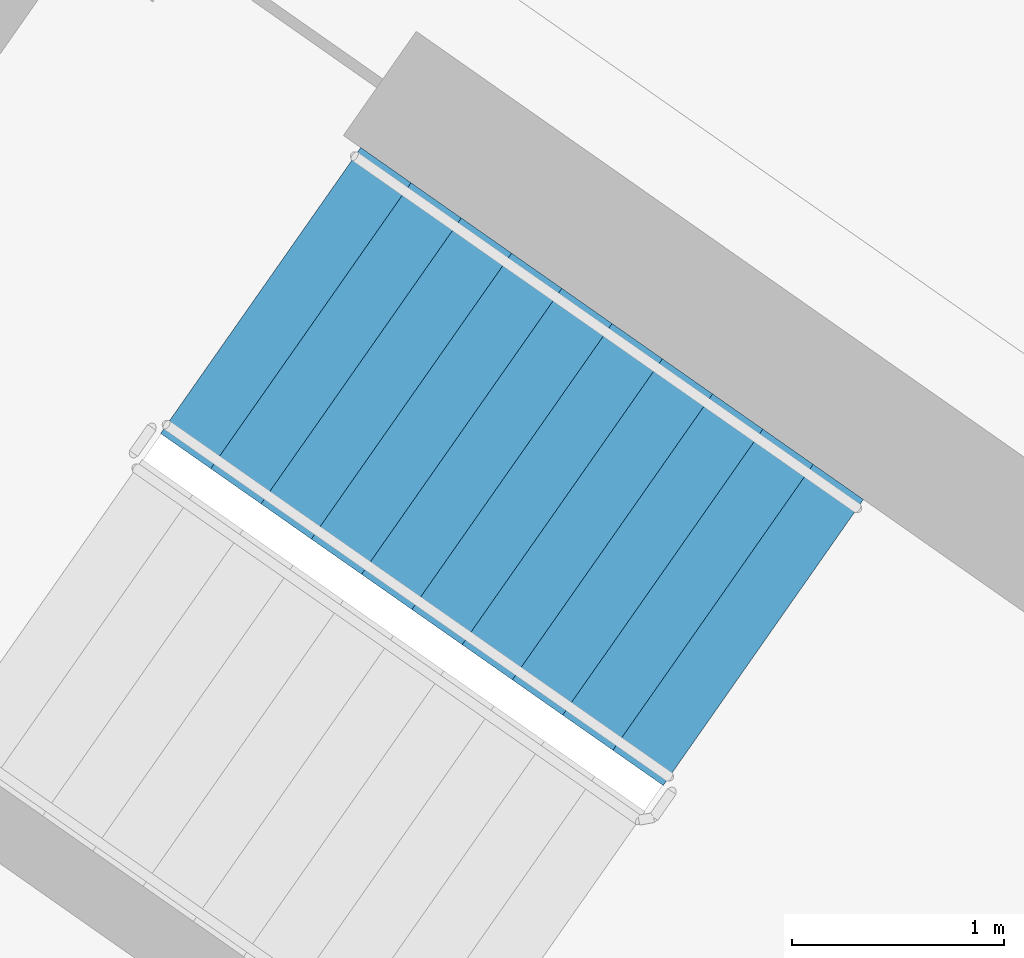
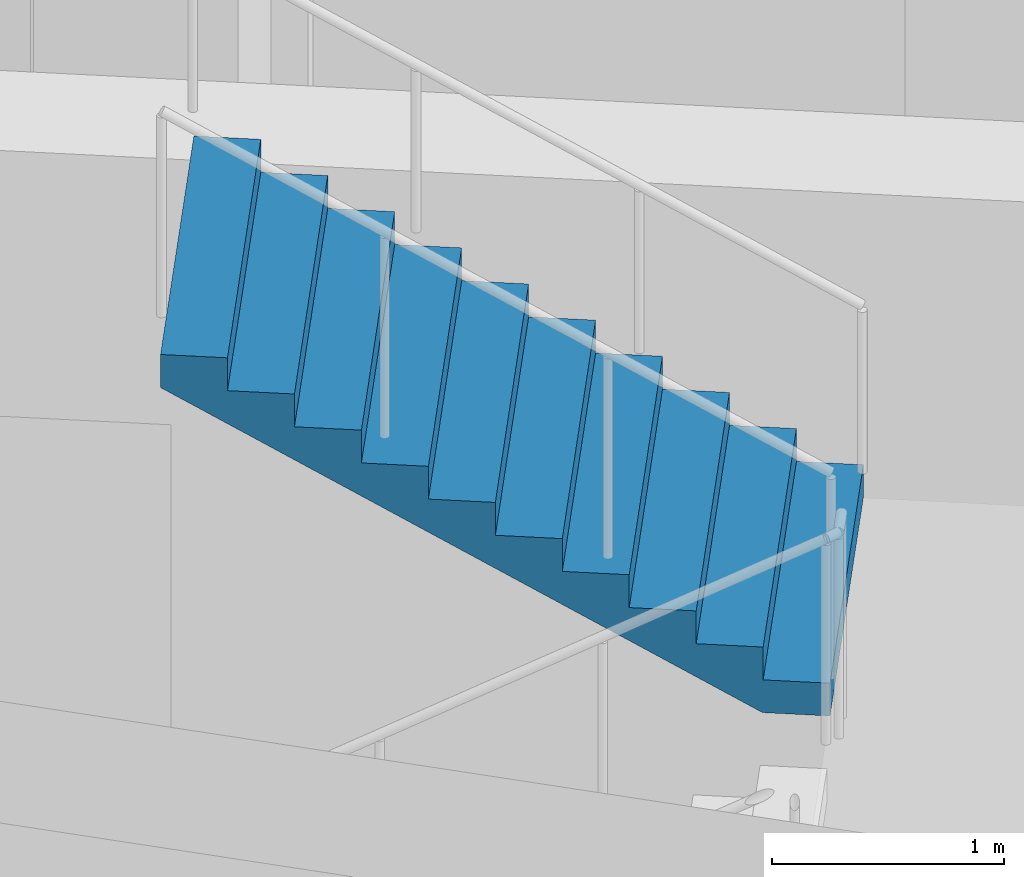
# One storey, part 12 of 28: 1 stair flight, 1 element without a shape of its own.
"""IFC4 building model written with IfcOpenShell, lengths in metres."""

from ifc_helpers import new_model, si_unit, direction, frame, origin, place, context, subcontext, project, spatial, faceted_brep, material, type_object, element, aggregate, save


model = new_model("IFC4")

# Units and contexts
model_context = context("Model", 3, precision=1e-05, world=origin(), true_north=direction((0.0, 1.0)))
body_context = subcontext(model_context, "Body", "Model", "MODEL_VIEW")
ifc_project = project(units=[si_unit("LENGTHUNIT", "METRE"), si_unit("AREAUNIT", "SQUARE_METRE"), si_unit("VOLUMEUNIT", "CUBIC_METRE"), si_unit("PLANEANGLEUNIT", "RADIAN"), si_unit("MASSUNIT", "GRAM", prefix="KILO")], contexts=[model_context])

# Site, building, storey
site_placement = place(None, origin())
site = spatial("IfcSite", under=ifc_project, at=site_placement, CompositionType="ELEMENT")
building_placement = place(site_placement, origin())
building = spatial("IfcBuilding", under=site, at=building_placement, Name="Qamariyya Broadcast Tower", CompositionType="ELEMENT")
storey_placement = place(building_placement, frame((0.0, 0.0, 265.699951171875)))
storey = spatial("IfcBuildingStorey", under=building, at=storey_placement, Name="L64", CompositionType="ELEMENT", Elevation=265.699951171875)

# Stair, stair flight
ifc_material = material(Name="Concrete C50/60", Category="concrete")
stair_type = type_object("IfcStairType", Name="Exit stair 22 risers of 173 mm", PredefinedType="HALF_TURN_STAIR", material=ifc_material)
stair_placement = place(storey_placement, origin())
stair = element("IfcStair", 1, at=stair_placement, inside=storey, type_object=stair_type, Name="L64 Stair W2", PredefinedType="HALF_TURN_STAIR")
stair_flight_type = type_object("IfcStairFlightType", Name="Exit stair flight 11 risers of 173 mm", PredefinedType="STRAIGHT", material=ifc_material)
stair_flight_placement = place(storey_placement, frame((-38.18310546875, -49.3486328125, 1.900146484375), z_axis=(0.0, 0.0, 1.0), x_axis=(-0.819152044289, 0.573576436351, 0.0)))
stair_flight = element("IfcStairFlight", 2, at=stair_flight_placement, type_object=stair_flight_type, Name="ST-W2 flight 2", NumberOfRisers=11, NumberOfTreads=10, PredefinedType="STRAIGHT", RiserHeight=0.172727273, TreadLength=0.29, context=body_context, shape_type="Brep", body=[
    faceted_brep([(0.0, 0.824951171875, 0.0), (0.0, 0.824951171875, 0.172607421875), (0.2900390625, 0.824951171875, 0.172607421875), (0.2900390625, 0.824951171875, 0.345458984375), (0.580078125, 0.824951171875, 0.345458984375), (0.580078125, 0.824951171875, 0.51806640625), (0.8701171875, 0.824951171875, 0.51806640625), (0.8701171875, 0.824951171875, 0.69091796875), (1.159912109375, 0.824951171875, 0.69091796875), (1.159912109375, 0.824951171875, 0.863525390625), (1.449951171875, 0.824951171875, 0.863525390625), (1.449951171875, 0.824951171875, 1.036376953125), (1.739990234375, 0.824951171875, 1.036376953125), (1.739990234375, 0.824951171875, 1.208984375), (2.030029296875, 0.824951171875, 1.208984375), (2.030029296875, 0.824951171875, 1.3818359375), (2.320068359375, 0.824951171875, 1.3818359375), (2.320068359375, 0.824951171875, 1.554443359375), (2.610107421875, 0.824951171875, 1.554443359375), (2.610107421875, 0.824951171875, 1.727294921875), (2.89990234375, 0.824951171875, 1.727294921875), (2.89990234375, 0.824951171875, 1.552734375), (0.29296875, 0.824951171875, 0.0), (0.29296875, -0.824951171875, 0.0), (2.89990234375, -0.824951171875, 1.552734375), (2.89990234375, -0.824951171875, 1.727294921875), (2.610107421875, -0.824951171875, 1.727294921875), (2.610107421875, -0.824951171875, 1.554443359375), (2.320068359375, -0.824951171875, 1.554443359375), (2.320068359375, -0.824951171875, 1.3818359375), (2.030029296875, -0.824951171875, 1.3818359375), (2.030029296875, -0.824951171875, 1.208984375), (1.739990234375, -0.824951171875, 1.208984375), (1.739990234375, -0.824951171875, 1.036376953125), (1.449951171875, -0.824951171875, 1.036376953125), (1.449951171875, -0.824951171875, 0.863525390625), (1.159912109375, -0.824951171875, 0.863525390625), (1.159912109375, -0.824951171875, 0.69091796875), (0.8701171875, -0.824951171875, 0.69091796875), (0.8701171875, -0.824951171875, 0.51806640625), (0.580078125, -0.824951171875, 0.51806640625), (0.580078125, -0.824951171875, 0.345458984375), (0.2900390625, -0.824951171875, 0.345458984375), (0.2900390625, -0.824951171875, 0.172607421875), (0.0, -0.824951171875, 0.172607421875), (0.0, -0.824951171875, 0.0), (0.0, 0.10009765625, 0.0), (0.0, 0.086669921875, 0.0), (0.0, 0.0732421875, 0.0), (0.0, 0.06005859375, 0.0), (0.0, 0.046630859375, 0.0), (0.0, 0.033447265625, 0.0), (0.0, 0.02001953125, 0.0), (0.0, 0.006591796875, 0.0), (0.0, -0.006591796875, 0.0), (0.0, -0.02001953125, 0.0), (0.0, -0.033447265625, 0.0), (0.0, -0.046630859375, 0.0), (0.0, -0.06005859375, 0.0), (0.0, -0.0732421875, 0.0), (0.0, -0.086669921875, 0.0), (0.0, -0.10009765625, 0.0), (0.0, -0.10009765625, 0.172607421875), (0.0, -0.086669921875, 0.172607421875), (0.0, -0.0732421875, 0.172607421875), (0.0, -0.06005859375, 0.172607421875), (0.0, -0.046630859375, 0.172607421875), (0.0, -0.033447265625, 0.172607421875), (0.0, -0.02001953125, 0.172607421875), (0.0, -0.006591796875, 0.172607421875), (0.0, 0.006591796875, 0.172607421875), (0.0, 0.02001953125, 0.172607421875), (0.0, 0.033447265625, 0.172607421875), (0.0, 0.046630859375, 0.172607421875), (0.0, 0.06005859375, 0.172607421875), (0.0, 0.0732421875, 0.172607421875), (0.0, 0.086669921875, 0.172607421875), (0.0, 0.10009765625, 0.172607421875), (0.2900390625, -0.10009765625, 0.172607421875), (0.2900390625, -0.086669921875, 0.172607421875), (0.2900390625, -0.0732421875, 0.172607421875), (0.2900390625, -0.06005859375, 0.172607421875), (0.2900390625, -0.046630859375, 0.172607421875), (0.2900390625, -0.033447265625, 0.172607421875), (0.2900390625, -0.02001953125, 0.172607421875), (0.2900390625, -0.006591796875, 0.172607421875), (0.2900390625, 0.006591796875, 0.172607421875), (0.2900390625, 0.02001953125, 0.172607421875), (0.2900390625, 0.033447265625, 0.172607421875), (0.2900390625, 0.046630859375, 0.172607421875), (0.2900390625, 0.06005859375, 0.172607421875), (0.2900390625, 0.0732421875, 0.172607421875), (0.2900390625, 0.086669921875, 0.172607421875), (0.2900390625, 0.10009765625, 0.172607421875), (0.2900390625, -0.10009765625, 0.345458984375), (0.2900390625, -0.086669921875, 0.345458984375), (0.2900390625, -0.0732421875, 0.345458984375), (0.2900390625, -0.06005859375, 0.345458984375), (0.2900390625, -0.046630859375, 0.345458984375), (0.2900390625, -0.033447265625, 0.345458984375), (0.2900390625, -0.02001953125, 0.345458984375), (0.2900390625, -0.006591796875, 0.345458984375), (0.2900390625, 0.006591796875, 0.345458984375), (0.2900390625, 0.02001953125, 0.345458984375), (0.2900390625, 0.033447265625, 0.345458984375), (0.2900390625, 0.046630859375, 0.345458984375), (0.2900390625, 0.06005859375, 0.345458984375), (0.2900390625, 0.0732421875, 0.345458984375), (0.2900390625, 0.086669921875, 0.345458984375), (0.2900390625, 0.10009765625, 0.345458984375), (0.580078125, -0.10009765625, 0.345458984375), (0.580078125, -0.086669921875, 0.345458984375), (0.580078125, -0.0732421875, 0.345458984375), (0.580078125, -0.06005859375, 0.345458984375), (0.580078125, -0.046630859375, 0.345458984375), (0.580078125, -0.033447265625, 0.345458984375), (0.580078125, -0.02001953125, 0.345458984375), (0.580078125, -0.006591796875, 0.345458984375), (0.580078125, 0.006591796875, 0.345458984375), (0.580078125, 0.02001953125, 0.345458984375), (0.580078125, 0.033447265625, 0.345458984375), (0.580078125, 0.046630859375, 0.345458984375), (0.580078125, 0.06005859375, 0.345458984375), (0.580078125, 0.0732421875, 0.345458984375), (0.580078125, 0.086669921875, 0.345458984375), (0.580078125, 0.10009765625, 0.345458984375), (0.580078125, -0.10009765625, 0.51806640625), (0.580078125, -0.086669921875, 0.51806640625), (0.580078125, -0.0732421875, 0.51806640625), (0.580078125, -0.06005859375, 0.51806640625), (0.580078125, -0.046630859375, 0.51806640625), (0.580078125, -0.033447265625, 0.51806640625), (0.580078125, -0.02001953125, 0.51806640625), (0.580078125, -0.006591796875, 0.51806640625), (0.580078125, 0.006591796875, 0.51806640625), (0.580078125, 0.02001953125, 0.51806640625), (0.580078125, 0.033447265625, 0.51806640625), (0.580078125, 0.046630859375, 0.51806640625), (0.580078125, 0.06005859375, 0.51806640625), (0.580078125, 0.0732421875, 0.51806640625), (0.580078125, 0.086669921875, 0.51806640625), (0.580078125, 0.10009765625, 0.51806640625), (0.8701171875, -0.10009765625, 0.51806640625), (0.8701171875, -0.086669921875, 0.51806640625), (0.8701171875, -0.0732421875, 0.51806640625), (0.8701171875, -0.06005859375, 0.51806640625), (0.8701171875, -0.046630859375, 0.51806640625), (0.8701171875, -0.033447265625, 0.51806640625), (0.8701171875, -0.02001953125, 0.51806640625), (0.8701171875, -0.006591796875, 0.51806640625), (0.8701171875, 0.006591796875, 0.51806640625), (0.8701171875, 0.02001953125, 0.51806640625), (0.8701171875, 0.033447265625, 0.51806640625), (0.8701171875, 0.046630859375, 0.51806640625), (0.8701171875, 0.06005859375, 0.51806640625), (0.8701171875, 0.0732421875, 0.51806640625), (0.8701171875, 0.086669921875, 0.51806640625), (0.8701171875, 0.10009765625, 0.51806640625), (0.8701171875, -0.10009765625, 0.69091796875), (0.8701171875, -0.086669921875, 0.69091796875), (0.8701171875, -0.0732421875, 0.69091796875), (0.8701171875, -0.06005859375, 0.69091796875), (0.8701171875, -0.046630859375, 0.69091796875), (0.8701171875, -0.033447265625, 0.69091796875), (0.8701171875, -0.02001953125, 0.69091796875), (0.8701171875, -0.006591796875, 0.69091796875), (0.8701171875, 0.006591796875, 0.69091796875), (0.8701171875, 0.02001953125, 0.69091796875), (0.8701171875, 0.033447265625, 0.69091796875), (0.8701171875, 0.046630859375, 0.69091796875), (0.8701171875, 0.06005859375, 0.69091796875), (0.8701171875, 0.0732421875, 0.69091796875), (0.8701171875, 0.086669921875, 0.69091796875), (0.8701171875, 0.10009765625, 0.69091796875), (1.159912109375, -0.10009765625, 0.69091796875), (1.159912109375, -0.086669921875, 0.69091796875), (1.159912109375, -0.0732421875, 0.69091796875), (1.159912109375, -0.06005859375, 0.69091796875), (1.159912109375, -0.046630859375, 0.69091796875), (1.159912109375, -0.033447265625, 0.69091796875), (1.159912109375, -0.02001953125, 0.69091796875), (1.159912109375, -0.006591796875, 0.69091796875), (1.159912109375, 0.006591796875, 0.69091796875), (1.159912109375, 0.02001953125, 0.69091796875), (1.159912109375, 0.033447265625, 0.69091796875), (1.159912109375, 0.046630859375, 0.69091796875), (1.159912109375, 0.06005859375, 0.69091796875), (1.159912109375, 0.0732421875, 0.69091796875), (1.159912109375, 0.086669921875, 0.69091796875), (1.159912109375, 0.10009765625, 0.69091796875), (1.159912109375, -0.10009765625, 0.863525390625), (1.159912109375, -0.086669921875, 0.863525390625), (1.159912109375, -0.0732421875, 0.863525390625), (1.159912109375, -0.06005859375, 0.863525390625), (1.159912109375, -0.046630859375, 0.863525390625), (1.159912109375, -0.033447265625, 0.863525390625), (1.159912109375, -0.02001953125, 0.863525390625), (1.159912109375, -0.006591796875, 0.863525390625), (1.159912109375, 0.006591796875, 0.863525390625), (1.159912109375, 0.02001953125, 0.863525390625), (1.159912109375, 0.033447265625, 0.863525390625), (1.159912109375, 0.046630859375, 0.863525390625), (1.159912109375, 0.06005859375, 0.863525390625), (1.159912109375, 0.0732421875, 0.863525390625), (1.159912109375, 0.086669921875, 0.863525390625), (1.159912109375, 0.10009765625, 0.863525390625), (1.449951171875, -0.10009765625, 0.863525390625), (1.449951171875, -0.086669921875, 0.863525390625), (1.449951171875, -0.0732421875, 0.863525390625), (1.449951171875, -0.06005859375, 0.863525390625), (1.449951171875, -0.046630859375, 0.863525390625), (1.449951171875, -0.033447265625, 0.863525390625), (1.449951171875, -0.02001953125, 0.863525390625), (1.449951171875, -0.006591796875, 0.863525390625), (1.449951171875, 0.006591796875, 0.863525390625), (1.449951171875, 0.02001953125, 0.863525390625), (1.449951171875, 0.033447265625, 0.863525390625), (1.449951171875, 0.046630859375, 0.863525390625), (1.449951171875, 0.06005859375, 0.863525390625), (1.449951171875, 0.0732421875, 0.863525390625), (1.449951171875, 0.086669921875, 0.863525390625), (1.449951171875, 0.10009765625, 0.863525390625), (1.449951171875, -0.10009765625, 1.036376953125), (1.449951171875, -0.086669921875, 1.036376953125), (1.449951171875, -0.0732421875, 1.036376953125), (1.449951171875, -0.06005859375, 1.036376953125), (1.449951171875, -0.046630859375, 1.036376953125), (1.449951171875, -0.033447265625, 1.036376953125), (1.449951171875, -0.02001953125, 1.036376953125), (1.449951171875, -0.006591796875, 1.036376953125), (1.449951171875, 0.006591796875, 1.036376953125), (1.449951171875, 0.02001953125, 1.036376953125), (1.449951171875, 0.033447265625, 1.036376953125), (1.449951171875, 0.046630859375, 1.036376953125), (1.449951171875, 0.06005859375, 1.036376953125), (1.449951171875, 0.0732421875, 1.036376953125), (1.449951171875, 0.086669921875, 1.036376953125), (1.449951171875, 0.10009765625, 1.036376953125), (1.739990234375, -0.10009765625, 1.036376953125), (1.739990234375, -0.086669921875, 1.036376953125), (1.739990234375, -0.0732421875, 1.036376953125), (1.739990234375, -0.06005859375, 1.036376953125), (1.739990234375, -0.046630859375, 1.036376953125), (1.739990234375, -0.033447265625, 1.036376953125), (1.739990234375, -0.02001953125, 1.036376953125), (1.739990234375, -0.006591796875, 1.036376953125), (1.739990234375, 0.006591796875, 1.036376953125), (1.739990234375, 0.02001953125, 1.036376953125), (1.739990234375, 0.033447265625, 1.036376953125), (1.739990234375, 0.046630859375, 1.036376953125), (1.739990234375, 0.06005859375, 1.036376953125), (1.739990234375, 0.0732421875, 1.036376953125), (1.739990234375, 0.086669921875, 1.036376953125), (1.739990234375, 0.10009765625, 1.036376953125), (1.739990234375, -0.10009765625, 1.208984375), (1.739990234375, -0.086669921875, 1.208984375), (1.739990234375, -0.0732421875, 1.208984375), (1.739990234375, -0.06005859375, 1.208984375), (1.739990234375, -0.046630859375, 1.208984375), (1.739990234375, -0.033447265625, 1.208984375), (1.739990234375, -0.02001953125, 1.208984375), (1.739990234375, -0.006591796875, 1.208984375), (1.739990234375, 0.006591796875, 1.208984375), (1.739990234375, 0.02001953125, 1.208984375), (1.739990234375, 0.033447265625, 1.208984375), (1.739990234375, 0.046630859375, 1.208984375), (1.739990234375, 0.06005859375, 1.208984375), (1.739990234375, 0.0732421875, 1.208984375), (1.739990234375, 0.086669921875, 1.208984375), (1.739990234375, 0.10009765625, 1.208984375), (2.030029296875, -0.10009765625, 1.208984375), (2.030029296875, -0.086669921875, 1.208984375), (2.030029296875, -0.0732421875, 1.208984375), (2.030029296875, -0.06005859375, 1.208984375), (2.030029296875, -0.046630859375, 1.208984375), (2.030029296875, -0.033447265625, 1.208984375), (2.030029296875, -0.02001953125, 1.208984375), (2.030029296875, -0.006591796875, 1.208984375), (2.030029296875, 0.006591796875, 1.208984375), (2.030029296875, 0.02001953125, 1.208984375), (2.030029296875, 0.033447265625, 1.208984375), (2.030029296875, 0.046630859375, 1.208984375), (2.030029296875, 0.06005859375, 1.208984375), (2.030029296875, 0.0732421875, 1.208984375), (2.030029296875, 0.086669921875, 1.208984375), (2.030029296875, 0.10009765625, 1.208984375), (2.030029296875, -0.10009765625, 1.3818359375), (2.030029296875, -0.086669921875, 1.3818359375), (2.030029296875, -0.0732421875, 1.3818359375), (2.030029296875, -0.06005859375, 1.3818359375), (2.030029296875, -0.046630859375, 1.3818359375), (2.030029296875, -0.033447265625, 1.3818359375), (2.030029296875, -0.02001953125, 1.3818359375), (2.030029296875, -0.006591796875, 1.3818359375), (2.030029296875, 0.006591796875, 1.3818359375), (2.030029296875, 0.02001953125, 1.3818359375), (2.030029296875, 0.033447265625, 1.3818359375), (2.030029296875, 0.046630859375, 1.3818359375), (2.030029296875, 0.06005859375, 1.3818359375), (2.030029296875, 0.0732421875, 1.3818359375), (2.030029296875, 0.086669921875, 1.3818359375), (2.030029296875, 0.10009765625, 1.3818359375), (2.320068359375, -0.10009765625, 1.3818359375), (2.320068359375, -0.086669921875, 1.3818359375), (2.320068359375, -0.0732421875, 1.3818359375), (2.320068359375, -0.06005859375, 1.3818359375), (2.320068359375, -0.046630859375, 1.3818359375), (2.320068359375, -0.033447265625, 1.3818359375), (2.320068359375, -0.02001953125, 1.3818359375), (2.320068359375, -0.006591796875, 1.3818359375), (2.320068359375, 0.006591796875, 1.3818359375), (2.320068359375, 0.02001953125, 1.3818359375), (2.320068359375, 0.033447265625, 1.3818359375), (2.320068359375, 0.046630859375, 1.3818359375), (2.320068359375, 0.06005859375, 1.3818359375), (2.320068359375, 0.0732421875, 1.3818359375), (2.320068359375, 0.086669921875, 1.3818359375), (2.320068359375, 0.10009765625, 1.3818359375), (2.320068359375, -0.10009765625, 1.554443359375), (2.320068359375, -0.086669921875, 1.554443359375), (2.320068359375, -0.0732421875, 1.554443359375), (2.320068359375, -0.06005859375, 1.554443359375), (2.320068359375, -0.046630859375, 1.554443359375), (2.320068359375, -0.033447265625, 1.554443359375), (2.320068359375, -0.02001953125, 1.554443359375), (2.320068359375, -0.006591796875, 1.554443359375), (2.320068359375, 0.006591796875, 1.554443359375), (2.320068359375, 0.02001953125, 1.554443359375), (2.320068359375, 0.033447265625, 1.554443359375), (2.320068359375, 0.046630859375, 1.554443359375), (2.320068359375, 0.06005859375, 1.554443359375), (2.320068359375, 0.0732421875, 1.554443359375), (2.320068359375, 0.086669921875, 1.554443359375), (2.320068359375, 0.10009765625, 1.554443359375), (2.610107421875, -0.10009765625, 1.554443359375), (2.610107421875, -0.086669921875, 1.554443359375), (2.610107421875, -0.0732421875, 1.554443359375), (2.610107421875, -0.06005859375, 1.554443359375), (2.610107421875, -0.046630859375, 1.554443359375), (2.610107421875, -0.033447265625, 1.554443359375), (2.610107421875, -0.02001953125, 1.554443359375), (2.610107421875, -0.006591796875, 1.554443359375), (2.610107421875, 0.006591796875, 1.554443359375), (2.610107421875, 0.02001953125, 1.554443359375), (2.610107421875, 0.033447265625, 1.554443359375), (2.610107421875, 0.046630859375, 1.554443359375), (2.610107421875, 0.06005859375, 1.554443359375), (2.610107421875, 0.0732421875, 1.554443359375), (2.610107421875, 0.086669921875, 1.554443359375), (2.610107421875, 0.10009765625, 1.554443359375), (2.610107421875, -0.10009765625, 1.727294921875), (2.610107421875, -0.086669921875, 1.727294921875), (2.610107421875, -0.0732421875, 1.727294921875), (2.610107421875, -0.06005859375, 1.727294921875), (2.610107421875, -0.046630859375, 1.727294921875), (2.610107421875, -0.033447265625, 1.727294921875), (2.610107421875, -0.02001953125, 1.727294921875), (2.610107421875, -0.006591796875, 1.727294921875), (2.610107421875, 0.006591796875, 1.727294921875), (2.610107421875, 0.02001953125, 1.727294921875), (2.610107421875, 0.033447265625, 1.727294921875), (2.610107421875, 0.046630859375, 1.727294921875), (2.610107421875, 0.06005859375, 1.727294921875), (2.610107421875, 0.0732421875, 1.727294921875), (2.610107421875, 0.086669921875, 1.727294921875), (2.610107421875, 0.10009765625, 1.727294921875), (2.89990234375, -0.10009765625, 1.727294921875), (2.89990234375, -0.086669921875, 1.727294921875), (2.89990234375, -0.0732421875, 1.727294921875), (2.89990234375, -0.06005859375, 1.727294921875), (2.89990234375, -0.046630859375, 1.727294921875), (2.89990234375, -0.033447265625, 1.727294921875), (2.89990234375, -0.02001953125, 1.727294921875), (2.89990234375, -0.006591796875, 1.727294921875), (2.89990234375, 0.006591796875, 1.727294921875), (2.89990234375, 0.02001953125, 1.727294921875), (2.89990234375, 0.033447265625, 1.727294921875), (2.89990234375, 0.046630859375, 1.727294921875), (2.89990234375, 0.06005859375, 1.727294921875), (2.89990234375, 0.0732421875, 1.727294921875), (2.89990234375, 0.086669921875, 1.727294921875), (2.89990234375, 0.10009765625, 1.727294921875), (2.89990234375, -0.10009765625, 1.552734375), (2.89990234375, -0.086669921875, 1.552734375), (2.89990234375, -0.0732421875, 1.552734375), (2.89990234375, -0.06005859375, 1.552734375), (2.89990234375, -0.046630859375, 1.552734375), (2.89990234375, -0.033447265625, 1.552734375), (2.89990234375, -0.02001953125, 1.552734375), (2.89990234375, -0.006591796875, 1.552734375), (2.89990234375, 0.006591796875, 1.552734375), (2.89990234375, 0.02001953125, 1.552734375), (2.89990234375, 0.033447265625, 1.552734375), (2.89990234375, 0.046630859375, 1.552734375), (2.89990234375, 0.06005859375, 1.552734375), (2.89990234375, 0.0732421875, 1.552734375), (2.89990234375, 0.086669921875, 1.552734375), (2.89990234375, 0.10009765625, 1.552734375), (0.29296875, -0.10009765625, 0.0), (0.29296875, -0.086669921875, 0.0), (0.29296875, -0.0732421875, 0.0), (0.29296875, -0.06005859375, 0.0), (0.29296875, -0.046630859375, 0.0), (0.29296875, -0.033447265625, 0.0), (0.29296875, -0.02001953125, 0.0), (0.29296875, -0.006591796875, 0.0), (0.29296875, 0.006591796875, 0.0), (0.29296875, 0.02001953125, 0.0), (0.29296875, 0.033447265625, 0.0), (0.29296875, 0.046630859375, 0.0), (0.29296875, 0.06005859375, 0.0), (0.29296875, 0.0732421875, 0.0), (0.29296875, 0.086669921875, 0.0), (0.29296875, 0.10009765625, 0.0)], [[[0, 1, 2, 3, 4, 5, 6, 7, 8, 9, 10, 11, 12, 13, 14, 15, 16, 17, 18, 19, 20, 21, 22]], [[23, 24, 25, 26, 27, 28, 29, 30, 31, 32, 33, 34, 35, 36, 37, 38, 39, 40, 41, 42, 43, 44, 45]], [[0, 46, 47, 48, 49, 50, 51, 52, 53, 54, 55, 56, 57, 58, 59, 60, 61, 45, 44, 62, 63, 64, 65, 66, 67, 68, 69, 70, 71, 72, 73, 74, 75, 76, 77, 1]], [[1, 77, 76, 75, 74, 73, 72, 71, 70, 69, 68, 67, 66, 65, 64, 63, 62, 44, 43, 78, 79, 80, 81, 82, 83, 84, 85, 86, 87, 88, 89, 90, 91, 92, 93, 2]], [[2, 93, 92, 91, 90, 89, 88, 87, 86, 85, 84, 83, 82, 81, 80, 79, 78, 43, 42, 94, 95, 96, 97, 98, 99, 100, 101, 102, 103, 104, 105, 106, 107, 108, 109, 3]], [[3, 109, 108, 107, 106, 105, 104, 103, 102, 101, 100, 99, 98, 97, 96, 95, 94, 42, 41, 110, 111, 112, 113, 114, 115, 116, 117, 118, 119, 120, 121, 122, 123, 124, 125, 4]], [[4, 125, 124, 123, 122, 121, 120, 119, 118, 117, 116, 115, 114, 113, 112, 111, 110, 41, 40, 126, 127, 128, 129, 130, 131, 132, 133, 134, 135, 136, 137, 138, 139, 140, 141, 5]], [[5, 141, 140, 139, 138, 137, 136, 135, 134, 133, 132, 131, 130, 129, 128, 127, 126, 40, 39, 142, 143, 144, 145, 146, 147, 148, 149, 150, 151, 152, 153, 154, 155, 156, 157, 6]], [[6, 157, 156, 155, 154, 153, 152, 151, 150, 149, 148, 147, 146, 145, 144, 143, 142, 39, 38, 158, 159, 160, 161, 162, 163, 164, 165, 166, 167, 168, 169, 170, 171, 172, 173, 7]], [[7, 173, 172, 171, 170, 169, 168, 167, 166, 165, 164, 163, 162, 161, 160, 159, 158, 38, 37, 174, 175, 176, 177, 178, 179, 180, 181, 182, 183, 184, 185, 186, 187, 188, 189, 8]], [[8, 189, 188, 187, 186, 185, 184, 183, 182, 181, 180, 179, 178, 177, 176, 175, 174, 37, 36, 190, 191, 192, 193, 194, 195, 196, 197, 198, 199, 200, 201, 202, 203, 204, 205, 9]], [[9, 205, 204, 203, 202, 201, 200, 199, 198, 197, 196, 195, 194, 193, 192, 191, 190, 36, 35, 206, 207, 208, 209, 210, 211, 212, 213, 214, 215, 216, 217, 218, 219, 220, 221, 10]], [[10, 221, 220, 219, 218, 217, 216, 215, 214, 213, 212, 211, 210, 209, 208, 207, 206, 35, 34, 222, 223, 224, 225, 226, 227, 228, 229, 230, 231, 232, 233, 234, 235, 236, 237, 11]], [[11, 237, 236, 235, 234, 233, 232, 231, 230, 229, 228, 227, 226, 225, 224, 223, 222, 34, 33, 238, 239, 240, 241, 242, 243, 244, 245, 246, 247, 248, 249, 250, 251, 252, 253, 12]], [[12, 253, 252, 251, 250, 249, 248, 247, 246, 245, 244, 243, 242, 241, 240, 239, 238, 33, 32, 254, 255, 256, 257, 258, 259, 260, 261, 262, 263, 264, 265, 266, 267, 268, 269, 13]], [[13, 269, 268, 267, 266, 265, 264, 263, 262, 261, 260, 259, 258, 257, 256, 255, 254, 32, 31, 270, 271, 272, 273, 274, 275, 276, 277, 278, 279, 280, 281, 282, 283, 284, 285, 14]], [[14, 285, 284, 283, 282, 281, 280, 279, 278, 277, 276, 275, 274, 273, 272, 271, 270, 31, 30, 286, 287, 288, 289, 290, 291, 292, 293, 294, 295, 296, 297, 298, 299, 300, 301, 15]], [[15, 301, 300, 299, 298, 297, 296, 295, 294, 293, 292, 291, 290, 289, 288, 287, 286, 30, 29, 302, 303, 304, 305, 306, 307, 308, 309, 310, 311, 312, 313, 314, 315, 316, 317, 16]], [[16, 317, 316, 315, 314, 313, 312, 311, 310, 309, 308, 307, 306, 305, 304, 303, 302, 29, 28, 318, 319, 320, 321, 322, 323, 324, 325, 326, 327, 328, 329, 330, 331, 332, 333, 17]], [[17, 333, 332, 331, 330, 329, 328, 327, 326, 325, 324, 323, 322, 321, 320, 319, 318, 28, 27, 334, 335, 336, 337, 338, 339, 340, 341, 342, 343, 344, 345, 346, 347, 348, 349, 18]], [[18, 349, 348, 347, 346, 345, 344, 343, 342, 341, 340, 339, 338, 337, 336, 335, 334, 27, 26, 350, 351, 352, 353, 354, 355, 356, 357, 358, 359, 360, 361, 362, 363, 364, 365, 19]], [[19, 365, 364, 363, 362, 361, 360, 359, 358, 357, 356, 355, 354, 353, 352, 351, 350, 26, 25, 366, 367, 368, 369, 370, 371, 372, 373, 374, 375, 376, 377, 378, 379, 380, 381, 20]], [[20, 381, 380, 379, 378, 377, 376, 375, 374, 373, 372, 371, 370, 369, 368, 367, 366, 25, 24, 382, 383, 384, 385, 386, 387, 388, 389, 390, 391, 392, 393, 394, 395, 396, 397, 21]], [[21, 397, 396, 395, 394, 393, 392, 391, 390, 389, 388, 387, 386, 385, 384, 383, 382, 24, 23, 398, 399, 400, 401, 402, 403, 404, 405, 406, 407, 408, 409, 410, 411, 412, 413, 22]], [[22, 413, 412, 411, 410, 409, 408, 407, 406, 405, 404, 403, 402, 401, 400, 399, 398, 23, 45, 61, 60, 59, 58, 57, 56, 55, 54, 53, 52, 51, 50, 49, 48, 47, 46, 0]]]),
])
aggregate(stair, [stair_flight])

save(model, "model.ifc")
